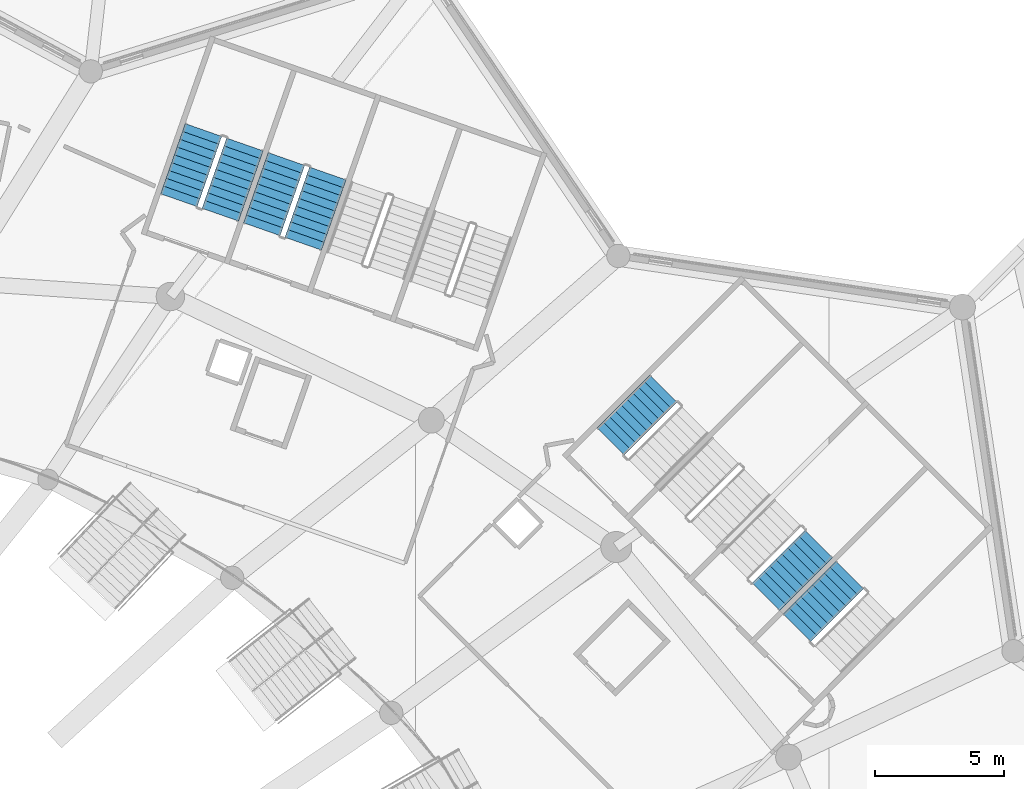
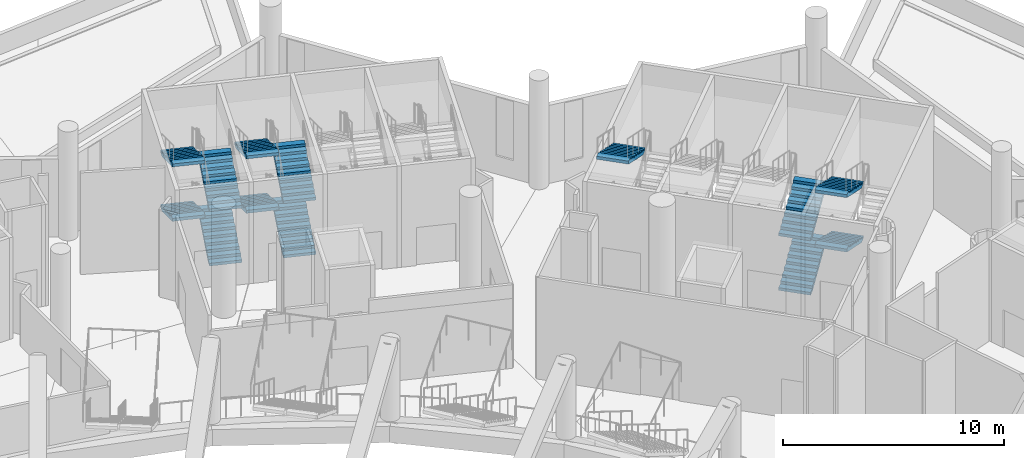
# One storey, part 102 of 173: 13 stair flights, 5 elements without a shape of their own.
"""IFC4 building model written with IfcOpenShell, lengths in metres."""

from ifc_helpers import new_model, si_unit, direction, frame, origin, place, context, subcontext, project, spatial, polyline, outline, extrude, material, type_object, element, aggregate, save


model = new_model("IFC4")

# Units and contexts
model_context = context("Model", 3, precision=1e-05, world=origin(), true_north=direction((0.0, 1.0)))
body_context = subcontext(model_context, "Body", "Model", "MODEL_VIEW")
ifc_project = project(units=[si_unit("LENGTHUNIT", "METRE"), si_unit("AREAUNIT", "SQUARE_METRE"), si_unit("VOLUMEUNIT", "CUBIC_METRE"), si_unit("PLANEANGLEUNIT", "RADIAN"), si_unit("MASSUNIT", "GRAM", prefix="KILO")], contexts=[model_context])

# Site, building, storey
site_placement = place(None, origin())
site = spatial("IfcSite", under=ifc_project, at=site_placement, CompositionType="ELEMENT")
building_placement = place(site_placement, origin())
building = spatial("IfcBuilding", under=site, at=building_placement, Name="Meseta Stadium", CompositionType="ELEMENT")
storey_placement = place(building_placement, frame((0.0, 0.0, 18.0)))
storey = spatial("IfcBuildingStorey", under=building, at=storey_placement, Name="L03", CompositionType="ELEMENT", Elevation=18.0)

# Stair, stair flights
ifc_material_1 = material(Name="Concrete C40/50", Category="concrete")
stair_type = type_object("IfcStairType", Name="Exit stair 4 flights 150 mm risers", PredefinedType="HALF_TURN_STAIR", material=ifc_material_1)
stair_1_placement = place(storey_placement, origin())
stair_1 = element("IfcStair", 1, at=stair_1_placement, inside=storey, type_object=stair_type, Name="ST25 L03", PredefinedType="HALF_TURN_STAIR")
ifc_material_2 = material(Name="Concrete C40/50", Category="concrete")
stair_flight_type = type_object("IfcStairFlightType", Name="Exit stair flight 150 mm risers, 4 per storey", PredefinedType="STRAIGHT", material=ifc_material_2)
stair_flight_1_placement = place(storey_placement, frame((80.810791015625, 78.800537109375, 1.5), z_axis=(0.0, 0.0, 1.0), x_axis=(-0.707106781187, -0.707106781187, 0.0)))
stair_flight_1 = element("IfcStairFlight", 2, at=stair_flight_1_placement, type_object=stair_flight_type, Name="ST25 L03 flight 2", NumberOfRisers=10, NumberOfTreads=9, PredefinedType="STRAIGHT", RiserHeight=0.15, TreadLength=0.32, context=body_context, shape_type="SweptSolid", body=[
    extrude(outline(polyline([(0.0, 0.0), (0.0, 0.14990234375), (0.320068359375, 0.14990234375), (0.320068359375, 0.300048828125), (0.639892578125, 0.300048828125), (0.639892578125, 0.449951171875), (0.9599609375, 0.449951171875), (0.9599609375, 0.60009765625), (1.280029296875, 0.60009765625), (1.280029296875, 0.75), (1.60009765625, 0.75), (1.60009765625, 0.89990234375), (1.919921875, 0.89990234375), (1.919921875, 1.050048828125), (2.239990234375, 1.050048828125), (2.239990234375, 1.199951171875), (2.56005859375, 1.199951171875), (2.56005859375, 1.35009765625), (2.8798828125, 1.35009765625), (2.8798828125, 1.184326171875), (0.353271484375, 0.0), (0.0, 0.0)])), frame((0.0, 0.75, 0.0), z_axis=(0.0, -1.0, 0.0), x_axis=(1.0, 0.0, 0.0)), (0.0, 0.0, 1.0), 1.5),
])
stair_flight_2_placement = place(storey_placement, frame((80.810791015625, 78.800537109375, 4.5), z_axis=(0.0, 0.0, 1.0), x_axis=(-0.707106781187, -0.707106781187, 0.0)))
stair_flight_2 = element("IfcStairFlight", 3, at=stair_flight_2_placement, type_object=stair_flight_type, Name="ST25 L03 flight 4", NumberOfRisers=10, NumberOfTreads=9, PredefinedType="STRAIGHT", RiserHeight=0.15, TreadLength=0.32, context=body_context, shape_type="SweptSolid", body=[
    extrude(outline(polyline([(0.0, 0.0), (0.0, 0.14990234375), (0.320068359375, 0.14990234375), (0.320068359375, 0.300048828125), (0.639892578125, 0.300048828125), (0.639892578125, 0.449951171875), (0.9599609375, 0.449951171875), (0.9599609375, 0.60009765625), (1.280029296875, 0.60009765625), (1.280029296875, 0.75), (1.60009765625, 0.75), (1.60009765625, 0.89990234375), (1.919921875, 0.89990234375), (1.919921875, 1.050048828125), (2.239990234375, 1.050048828125), (2.239990234375, 1.199951171875), (2.56005859375, 1.199951171875), (2.56005859375, 1.35009765625), (2.8798828125, 1.35009765625), (2.8798828125, 1.184326171875), (0.353271484375, 0.0), (0.0, 0.0)])), frame((0.0, 0.75, 0.0), z_axis=(0.0, -1.0, 0.0), x_axis=(1.0, 0.0, 0.0)), (0.0, 0.0, 1.0), 1.5),
])
aggregate(stair_1, [stair_flight_1, stair_flight_2])

stair_2_placement = place(storey_placement, origin())
stair_2 = element("IfcStair", 4, at=stair_2_placement, inside=storey, type_object=stair_type, Name="ST26 L03", PredefinedType="HALF_TURN_STAIR")
stair_flight_3_placement = place(storey_placement, frame((77.572265625, 77.966064453125, 0.0), z_axis=(0.0, 0.0, 1.0), x_axis=(0.707106781187, 0.707106781187, 0.0)))
stair_flight_3 = element("IfcStairFlight", 5, at=stair_flight_3_placement, type_object=stair_flight_type, Name="ST26 L03 flight 1", NumberOfRisers=10, NumberOfTreads=9, PredefinedType="STRAIGHT", RiserHeight=0.15, TreadLength=0.32, context=body_context, shape_type="SweptSolid", body=[
    extrude(outline(polyline([(0.0, 0.0), (0.0, 0.14990234375), (0.320068359375, 0.14990234375), (0.320068359375, 0.300048828125), (0.639892578125, 0.300048828125), (0.639892578125, 0.449951171875), (0.9599609375, 0.449951171875), (0.9599609375, 0.60009765625), (1.280029296875, 0.60009765625), (1.280029296875, 0.75), (1.60009765625, 0.75), (1.60009765625, 0.89990234375), (1.919921875, 0.89990234375), (1.919921875, 1.050048828125), (2.239990234375, 1.050048828125), (2.239990234375, 1.199951171875), (2.56005859375, 1.199951171875), (2.56005859375, 1.35009765625), (2.8798828125, 1.35009765625), (2.8798828125, 1.184326171875), (0.353271484375, 0.0), (0.0, 0.0)])), frame((0.0, 0.75, 0.0), z_axis=(0.0, -1.0, 0.0), x_axis=(1.0, 0.0, 0.0)), (0.0, 0.0, 1.0), 1.5),
])
stair_flight_4_placement = place(storey_placement, frame((77.572265625, 77.966064453125, 3.0), z_axis=(0.0, 0.0, 1.0), x_axis=(0.707106781187, 0.707106781187, 0.0)))
stair_flight_4 = element("IfcStairFlight", 6, at=stair_flight_4_placement, type_object=stair_flight_type, Name="ST26 L03 flight 3", NumberOfRisers=10, NumberOfTreads=9, PredefinedType="STRAIGHT", RiserHeight=0.15, TreadLength=0.32, context=body_context, shape_type="SweptSolid", body=[
    extrude(outline(polyline([(0.0, 0.0), (0.0, 0.14990234375), (0.320068359375, 0.14990234375), (0.320068359375, 0.300048828125), (0.639892578125, 0.300048828125), (0.639892578125, 0.449951171875), (0.9599609375, 0.449951171875), (0.9599609375, 0.60009765625), (1.280029296875, 0.60009765625), (1.280029296875, 0.75), (1.60009765625, 0.75), (1.60009765625, 0.89990234375), (1.919921875, 0.89990234375), (1.919921875, 1.050048828125), (2.239990234375, 1.050048828125), (2.239990234375, 1.199951171875), (2.56005859375, 1.199951171875), (2.56005859375, 1.35009765625), (2.8798828125, 1.35009765625), (2.8798828125, 1.184326171875), (0.353271484375, 0.0), (0.0, 0.0)])), frame((0.0, 0.75, 0.0), z_axis=(0.0, -1.0, 0.0), x_axis=(1.0, 0.0, 0.0)), (0.0, 0.0, 1.0), 1.5),
])
aggregate(stair_2, [stair_flight_3, stair_flight_4])

# Stair, stair flight
stair_3_placement = place(storey_placement, origin())
stair_3 = element("IfcStair", 7, at=stair_3_placement, inside=storey, type_object=stair_type, Name="ST28 L03", PredefinedType="HALF_TURN_STAIR")
stair_flight_5_placement = place(storey_placement, frame((73.598388671875, 86.012939453125, 4.5), z_axis=(0.0, 0.0, 1.0), x_axis=(-0.707106781187, -0.707106781187, 0.0)))
stair_flight_5 = element("IfcStairFlight", 8, at=stair_flight_5_placement, type_object=stair_flight_type, Name="ST28 L03 flight 4", NumberOfRisers=10, NumberOfTreads=9, PredefinedType="STRAIGHT", RiserHeight=0.15, TreadLength=0.32, context=body_context, shape_type="SweptSolid", body=[
    extrude(outline(polyline([(0.0, 0.0), (0.0, 0.14990234375), (0.320068359375, 0.14990234375), (0.320068359375, 0.300048828125), (0.639892578125, 0.300048828125), (0.639892578125, 0.449951171875), (0.9599609375, 0.449951171875), (0.9599609375, 0.60009765625), (1.280029296875, 0.60009765625), (1.280029296875, 0.75), (1.60009765625, 0.75), (1.60009765625, 0.89990234375), (1.919921875, 0.89990234375), (1.919921875, 1.050048828125), (2.239990234375, 1.050048828125), (2.239990234375, 1.199951171875), (2.56005859375, 1.199951171875), (2.56005859375, 1.35009765625), (2.8798828125, 1.35009765625), (2.8798828125, 1.184326171875), (0.353271484375, 0.0), (0.0, 0.0)])), frame((0.0, 0.75, 0.0), z_axis=(0.0, -1.0, 0.0), x_axis=(1.0, 0.0, 0.0)), (0.0, 0.0, 1.0), 1.5),
])
aggregate(stair_3, [stair_flight_5])

# Stair, stair flights
stair_4_placement = place(storey_placement, origin())
stair_4 = element("IfcStair", 9, at=stair_4_placement, inside=storey, type_object=stair_type, Name="ST31 L03", PredefinedType="HALF_TURN_STAIR")
stair_flight_6_placement = place(storey_placement, frame((59.663818359375, 91.622802734375, 0.0), z_axis=(0.0, 0.0, 1.0), x_axis=(0.330279057248, 0.943883331955, 0.0)))
stair_flight_6 = element("IfcStairFlight", 10, at=stair_flight_6_placement, type_object=stair_flight_type, Name="ST31 L03 flight 1", NumberOfRisers=10, NumberOfTreads=9, PredefinedType="STRAIGHT", RiserHeight=0.15, TreadLength=0.32, context=body_context, shape_type="SweptSolid", body=[
    extrude(outline(polyline([(0.0, 0.0), (0.0, 0.14990234375), (0.320068359375, 0.14990234375), (0.320068359375, 0.300048828125), (0.639892578125, 0.300048828125), (0.639892578125, 0.449951171875), (0.9599609375, 0.449951171875), (0.9599609375, 0.60009765625), (1.280029296875, 0.60009765625), (1.280029296875, 0.75), (1.60009765625, 0.75), (1.60009765625, 0.89990234375), (1.919921875, 0.89990234375), (1.919921875, 1.050048828125), (2.239990234375, 1.050048828125), (2.239990234375, 1.199951171875), (2.56005859375, 1.199951171875), (2.56005859375, 1.35009765625), (2.8798828125, 1.35009765625), (2.8798828125, 1.184326171875), (0.353271484375, 0.0), (0.0, 0.0)])), frame((0.0, 0.75, 0.0), z_axis=(0.0, -1.0, 0.0), x_axis=(1.0, 0.0, 0.0)), (0.0, 0.0, 1.0), 1.5),
])
stair_flight_7_placement = place(storey_placement, frame((59.010498046875, 94.902587890625, 1.5), z_axis=(0.0, 0.0, 1.0), x_axis=(-0.330279057248, -0.943883331955, 0.0)))
stair_flight_7 = element("IfcStairFlight", 11, at=stair_flight_7_placement, type_object=stair_flight_type, Name="ST31 L03 flight 2", NumberOfRisers=10, NumberOfTreads=9, PredefinedType="STRAIGHT", RiserHeight=0.15, TreadLength=0.32, context=body_context, shape_type="SweptSolid", body=[
    extrude(outline(polyline([(0.0, 0.0), (0.0, 0.14990234375), (0.320068359375, 0.14990234375), (0.320068359375, 0.300048828125), (0.639892578125, 0.300048828125), (0.639892578125, 0.449951171875), (0.9599609375, 0.449951171875), (0.9599609375, 0.60009765625), (1.280029296875, 0.60009765625), (1.280029296875, 0.75), (1.60009765625, 0.75), (1.60009765625, 0.89990234375), (1.919921875, 0.89990234375), (1.919921875, 1.050048828125), (2.239990234375, 1.050048828125), (2.239990234375, 1.199951171875), (2.56005859375, 1.199951171875), (2.56005859375, 1.35009765625), (2.8798828125, 1.35009765625), (2.8798828125, 1.184326171875), (0.353271484375, 0.0), (0.0, 0.0)])), frame((0.0, 0.75, 0.0), z_axis=(0.0, -1.0, 0.0), x_axis=(1.0, 0.0, 0.0)), (0.0, 0.0, 1.0), 1.5),
])
stair_flight_8_placement = place(storey_placement, frame((59.663818359375, 91.622802734375, 3.0), z_axis=(0.0, 0.0, 1.0), x_axis=(0.330279057248, 0.943883331955, 0.0)))
stair_flight_8 = element("IfcStairFlight", 12, at=stair_flight_8_placement, type_object=stair_flight_type, Name="ST31 L03 flight 3", NumberOfRisers=10, NumberOfTreads=9, PredefinedType="STRAIGHT", RiserHeight=0.15, TreadLength=0.32, context=body_context, shape_type="SweptSolid", body=[
    extrude(outline(polyline([(0.0, 0.0), (0.0, 0.14990234375), (0.320068359375, 0.14990234375), (0.320068359375, 0.300048828125), (0.639892578125, 0.300048828125), (0.639892578125, 0.449951171875), (0.9599609375, 0.449951171875), (0.9599609375, 0.60009765625), (1.280029296875, 0.60009765625), (1.280029296875, 0.75), (1.60009765625, 0.75), (1.60009765625, 0.89990234375), (1.919921875, 0.89990234375), (1.919921875, 1.050048828125), (2.239990234375, 1.050048828125), (2.239990234375, 1.199951171875), (2.56005859375, 1.199951171875), (2.56005859375, 1.35009765625), (2.8798828125, 1.35009765625), (2.8798828125, 1.184326171875), (0.353271484375, 0.0), (0.0, 0.0)])), frame((0.0, 0.75, 0.0), z_axis=(0.0, -1.0, 0.0), x_axis=(1.0, 0.0, 0.0)), (0.0, 0.0, 1.0), 1.5),
])
stair_flight_9_placement = place(storey_placement, frame((59.010498046875, 94.902587890625, 4.5), z_axis=(0.0, 0.0, 1.0), x_axis=(-0.330279057248, -0.943883331955, 0.0)))
stair_flight_9 = element("IfcStairFlight", 13, at=stair_flight_9_placement, type_object=stair_flight_type, Name="ST31 L03 flight 4", NumberOfRisers=10, NumberOfTreads=9, PredefinedType="STRAIGHT", RiserHeight=0.15, TreadLength=0.32, context=body_context, shape_type="SweptSolid", body=[
    extrude(outline(polyline([(0.0, 0.0), (0.0, 0.14990234375), (0.320068359375, 0.14990234375), (0.320068359375, 0.300048828125), (0.639892578125, 0.300048828125), (0.639892578125, 0.449951171875), (0.9599609375, 0.449951171875), (0.9599609375, 0.60009765625), (1.280029296875, 0.60009765625), (1.280029296875, 0.75), (1.60009765625, 0.75), (1.60009765625, 0.89990234375), (1.919921875, 0.89990234375), (1.919921875, 1.050048828125), (2.239990234375, 1.050048828125), (2.239990234375, 1.199951171875), (2.56005859375, 1.199951171875), (2.56005859375, 1.35009765625), (2.8798828125, 1.35009765625), (2.8798828125, 1.184326171875), (0.353271484375, 0.0), (0.0, 0.0)])), frame((0.0, 0.75, 0.0), z_axis=(0.0, -1.0, 0.0), x_axis=(1.0, 0.0, 0.0)), (0.0, 0.0, 1.0), 1.5),
])
aggregate(stair_4, [stair_flight_6, stair_flight_7, stair_flight_8, stair_flight_9])

stair_5_placement = place(storey_placement, origin())
stair_5 = element("IfcStair", 14, at=stair_5_placement, inside=storey, type_object=stair_type, Name="ST32 L03", PredefinedType="HALF_TURN_STAIR")
stair_flight_10_placement = place(storey_placement, frame((56.454833984375, 92.745849609375, 0.0), z_axis=(0.0, 0.0, 1.0), x_axis=(0.330279057248, 0.943883331955, 0.0)))
stair_flight_10 = element("IfcStairFlight", 15, at=stair_flight_10_placement, type_object=stair_flight_type, Name="ST32 L03 flight 1", NumberOfRisers=10, NumberOfTreads=9, PredefinedType="STRAIGHT", RiserHeight=0.15, TreadLength=0.32, context=body_context, shape_type="SweptSolid", body=[
    extrude(outline(polyline([(0.0, 0.0), (0.0, 0.14990234375), (0.320068359375, 0.14990234375), (0.320068359375, 0.300048828125), (0.639892578125, 0.300048828125), (0.639892578125, 0.449951171875), (0.9599609375, 0.449951171875), (0.9599609375, 0.60009765625), (1.280029296875, 0.60009765625), (1.280029296875, 0.75), (1.60009765625, 0.75), (1.60009765625, 0.89990234375), (1.919921875, 0.89990234375), (1.919921875, 1.050048828125), (2.239990234375, 1.050048828125), (2.239990234375, 1.199951171875), (2.56005859375, 1.199951171875), (2.56005859375, 1.35009765625), (2.8798828125, 1.35009765625), (2.8798828125, 1.184326171875), (0.353271484375, 0.0), (0.0, 0.0)])), frame((0.0, 0.75, 0.0), z_axis=(0.0, -1.0, 0.0), x_axis=(1.0, 0.0, 0.0)), (0.0, 0.0, 1.0), 1.5),
])
stair_flight_11_placement = place(storey_placement, frame((55.80126953125, 96.025634765625, 1.5), z_axis=(0.0, 0.0, 1.0), x_axis=(-0.330279057248, -0.943883331955, 0.0)))
stair_flight_11 = element("IfcStairFlight", 16, at=stair_flight_11_placement, type_object=stair_flight_type, Name="ST32 L03 flight 2", NumberOfRisers=10, NumberOfTreads=9, PredefinedType="STRAIGHT", RiserHeight=0.15, TreadLength=0.32, context=body_context, shape_type="SweptSolid", body=[
    extrude(outline(polyline([(0.0, 0.0), (0.0, 0.14990234375), (0.320068359375, 0.14990234375), (0.320068359375, 0.300048828125), (0.639892578125, 0.300048828125), (0.639892578125, 0.449951171875), (0.9599609375, 0.449951171875), (0.9599609375, 0.60009765625), (1.280029296875, 0.60009765625), (1.280029296875, 0.75), (1.60009765625, 0.75), (1.60009765625, 0.89990234375), (1.919921875, 0.89990234375), (1.919921875, 1.050048828125), (2.239990234375, 1.050048828125), (2.239990234375, 1.199951171875), (2.56005859375, 1.199951171875), (2.56005859375, 1.35009765625), (2.8798828125, 1.35009765625), (2.8798828125, 1.184326171875), (0.353271484375, 0.0), (0.0, 0.0)])), frame((0.0, 0.75, 0.0), z_axis=(0.0, -1.0, 0.0), x_axis=(1.0, 0.0, 0.0)), (0.0, 0.0, 1.0), 1.5),
])
stair_flight_12_placement = place(storey_placement, frame((56.454833984375, 92.745849609375, 3.0), z_axis=(0.0, 0.0, 1.0), x_axis=(0.330279057248, 0.943883331955, 0.0)))
stair_flight_12 = element("IfcStairFlight", 17, at=stair_flight_12_placement, type_object=stair_flight_type, Name="ST32 L03 flight 3", NumberOfRisers=10, NumberOfTreads=9, PredefinedType="STRAIGHT", RiserHeight=0.15, TreadLength=0.32, context=body_context, shape_type="SweptSolid", body=[
    extrude(outline(polyline([(0.0, 0.0), (0.0, 0.14990234375), (0.320068359375, 0.14990234375), (0.320068359375, 0.300048828125), (0.639892578125, 0.300048828125), (0.639892578125, 0.449951171875), (0.9599609375, 0.449951171875), (0.9599609375, 0.60009765625), (1.280029296875, 0.60009765625), (1.280029296875, 0.75), (1.60009765625, 0.75), (1.60009765625, 0.89990234375), (1.919921875, 0.89990234375), (1.919921875, 1.050048828125), (2.239990234375, 1.050048828125), (2.239990234375, 1.199951171875), (2.56005859375, 1.199951171875), (2.56005859375, 1.35009765625), (2.8798828125, 1.35009765625), (2.8798828125, 1.184326171875), (0.353271484375, 0.0), (0.0, 0.0)])), frame((0.0, 0.75, 0.0), z_axis=(0.0, -1.0, 0.0), x_axis=(1.0, 0.0, 0.0)), (0.0, 0.0, 1.0), 1.5),
])
stair_flight_13_placement = place(storey_placement, frame((55.80126953125, 96.025634765625, 4.5), z_axis=(0.0, 0.0, 1.0), x_axis=(-0.330279057248, -0.943883331955, 0.0)))
stair_flight_13 = element("IfcStairFlight", 18, at=stair_flight_13_placement, type_object=stair_flight_type, Name="ST32 L03 flight 4", NumberOfRisers=10, NumberOfTreads=9, PredefinedType="STRAIGHT", RiserHeight=0.15, TreadLength=0.32, context=body_context, shape_type="SweptSolid", body=[
    extrude(outline(polyline([(0.0, 0.0), (0.0, 0.14990234375), (0.320068359375, 0.14990234375), (0.320068359375, 0.300048828125), (0.639892578125, 0.300048828125), (0.639892578125, 0.449951171875), (0.9599609375, 0.449951171875), (0.9599609375, 0.60009765625), (1.280029296875, 0.60009765625), (1.280029296875, 0.75), (1.60009765625, 0.75), (1.60009765625, 0.89990234375), (1.919921875, 0.89990234375), (1.919921875, 1.050048828125), (2.239990234375, 1.050048828125), (2.239990234375, 1.199951171875), (2.56005859375, 1.199951171875), (2.56005859375, 1.35009765625), (2.8798828125, 1.35009765625), (2.8798828125, 1.184326171875), (0.353271484375, 0.0), (0.0, 0.0)])), frame((0.0, 0.75, 0.0), z_axis=(0.0, -1.0, 0.0), x_axis=(1.0, 0.0, 0.0)), (0.0, 0.0, 1.0), 1.5),
])
aggregate(stair_5, [stair_flight_10, stair_flight_11, stair_flight_12, stair_flight_13])

save(model, "model.ifc")
